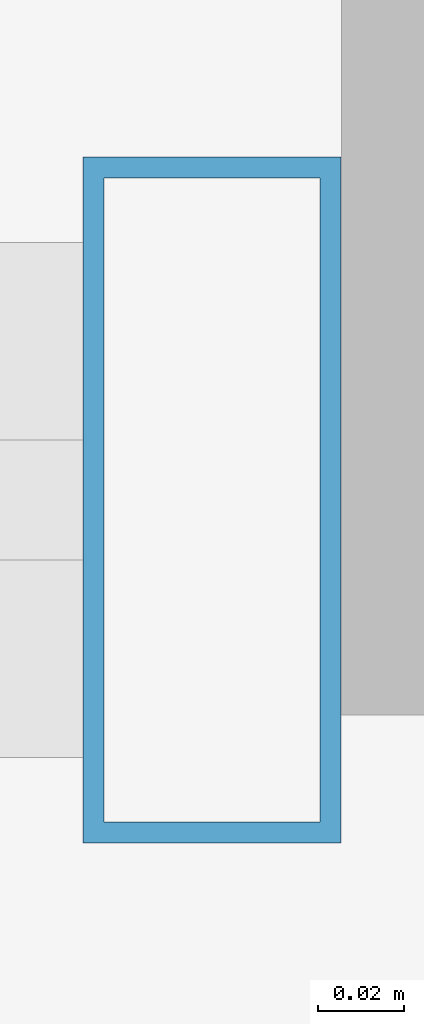
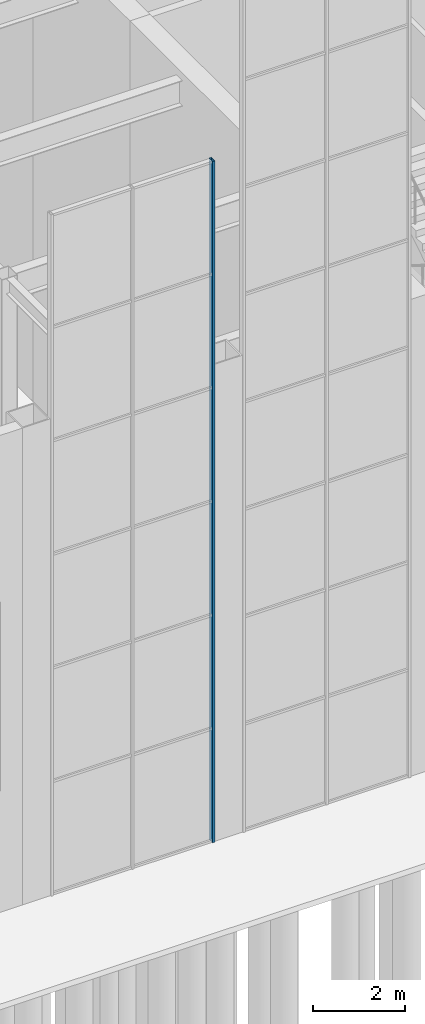
# One storey, part 30 of 58: 1 member, 1 element without a shape of its own.
"""IFC4 building model written with IfcOpenShell, lengths in metres."""

from ifc_helpers import new_model, si_unit, direction, frame, origin, origin_2d, place, context, subcontext, project, spatial, hollow_rectangle, extrude, material, layer, layer_set, material_profile, profile_set, type_object, element, aggregate, save


model = new_model("IFC4")

# Units and contexts
model_context = context("Model", 3, precision=1e-05, world=origin(), true_north=direction((0.0, 1.0)))
body_context = subcontext(model_context, "Body", "Model", "MODEL_VIEW")
ifc_project = project(units=[si_unit("LENGTHUNIT", "METRE"), si_unit("AREAUNIT", "SQUARE_METRE"), si_unit("VOLUMEUNIT", "CUBIC_METRE"), si_unit("PLANEANGLEUNIT", "RADIAN"), si_unit("MASSUNIT", "GRAM", prefix="KILO")], contexts=[model_context])

# Site, building, storey
site_placement = place(None, origin())
site = spatial("IfcSite", under=ifc_project, at=site_placement, CompositionType="ELEMENT")
building_placement = place(site_placement, origin())
building = spatial("IfcBuilding", under=site, at=building_placement, Name="Baori Bourse Tower", CompositionType="ELEMENT")
storey_placement = place(building_placement, origin())
storey = spatial("IfcBuildingStorey", under=building, at=storey_placement, Name="L00", CompositionType="ELEMENT", Elevation=0.0)

# Curtain wall, member
ifc_material_1 = material(Name="Pale anodised aluminium", Category="aluminium")
ifc_layer = layer(ifc_material_1, 0.10009765625)
ifc_layer_set = layer_set([ifc_layer], Name="Wing curtain wall")
curtain_wall_type = type_object("IfcCurtainWallType", Name="Wing curtain wall", PredefinedType="NOTDEFINED", material=ifc_layer_set)
curtain_wall_placement = place(storey_placement, origin())
curtain_wall = element("IfcCurtainWall", 1, at=curtain_wall_placement, inside=storey, type_object=curtain_wall_type, Name="wing/L00/hallcw/007", PredefinedType="NOTDEFINED")
ifc_material_2 = material(Name="Pale anodised aluminium", Category="aluminium")
ifc_material_profile = material_profile(ifc_material_2, hollow_rectangle(XDim=0.159912109375, YDim=0.06005859375, WallThickness=0.0048828125, at=origin_2d()), Name="Mullion 160x60x5")
ifc_profile_set = profile_set([ifc_material_profile], Name="Pale anodised aluminium")
member_type = type_object("IfcMemberType", Name="Wing mullion 60x160", PredefinedType="MULLION", material=ifc_profile_set)
member_placement = place(storey_placement, frame((52.419921875, -25.14990234375, 0.0), z_axis=(0.0, 0.0, 1.0), x_axis=(0.0, 1.0, 0.0)))
member = element("IfcMember", 2, at=member_placement, type_object=member_type, Name="X12 mullion 3", PredefinedType="MULLION", context=body_context, shape_type="SweptSolid", body=[
    extrude(hollow_rectangle(XDim=0.159912109375, YDim=0.06005859375, WallThickness=0.0048828125, at=origin_2d()), origin(), (0.0, 0.0, 1.0), 18.0),
])
aggregate(curtain_wall, [member])

save(model, "model.ifc")
